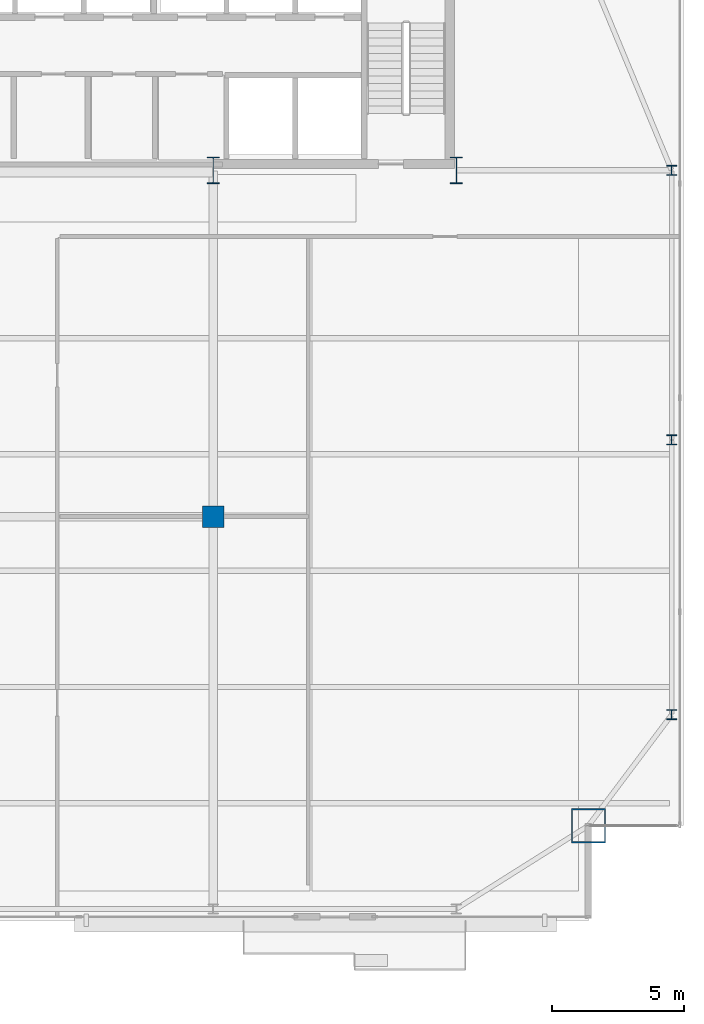
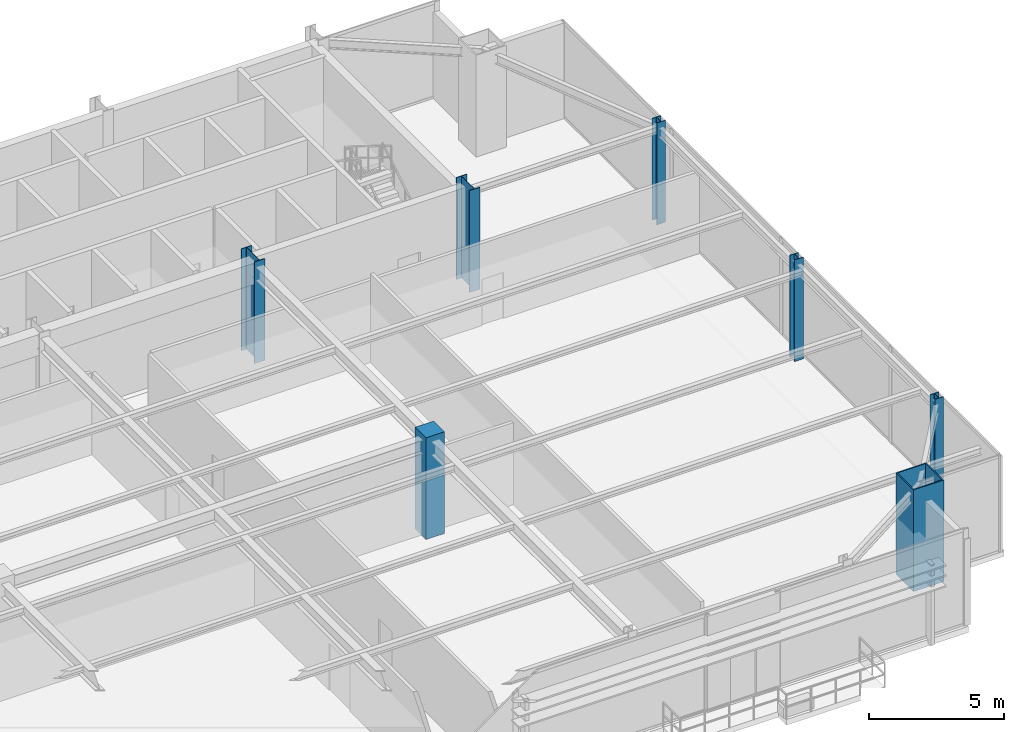
# One storey, part 2 of 25: 7 columns.
"""IFC4 building model written with IfcOpenShell, lengths in metres."""

from ifc_helpers import new_model, si_unit, direction, frame, origin, origin_2d, place, context, subcontext, project, spatial, rectangle, hollow_rectangle, i_section, extrude, source, transform, mapped, material, material_profile, profile_set, type_object, type_shapes, element, save


model = new_model("IFC4")

# Units and contexts
model_context = context("Model", 3, precision=1e-05, world=origin(), true_north=direction((0.0, 1.0)))
body_context = subcontext(model_context, "Body", "Model", "MODEL_VIEW")
ifc_project = project(units=[si_unit("LENGTHUNIT", "METRE"), si_unit("AREAUNIT", "SQUARE_METRE"), si_unit("VOLUMEUNIT", "CUBIC_METRE"), si_unit("PLANEANGLEUNIT", "RADIAN"), si_unit("MASSUNIT", "GRAM", prefix="KILO")], contexts=[model_context])

# Site, building, storey
site_placement = place(None, origin())
site = spatial("IfcSite", under=ifc_project, at=site_placement, CompositionType="ELEMENT")
building_placement = place(site_placement, origin())
building = spatial("IfcBuilding", under=site, at=building_placement, Name="Varnel Quay Broadcast Tower", CompositionType="ELEMENT")
storey_placement = place(building_placement, frame((0.0, 0.0, 191.39990234375)))
storey = spatial("IfcBuildingStorey", under=building, at=storey_placement, Name="L47", CompositionType="ELEMENT", Elevation=191.39990234375)

# Columns
ifc_material_1 = material(Name="Structural Steel CSA G40.21 350WT", Category="steel")
ifc_material_profile_1 = material_profile(ifc_material_1, i_section(OverallWidth=0.449951171875, OverallDepth=1.0, WebThickness=0.01611328125, FlangeThickness=0.030029296875, FilletRadius=0.01611328125, at=origin_2d()), Name="WWF1000X362")
ifc_profile_set_1 = profile_set([ifc_material_profile_1], Name="Structural Steel CSA G40.21 350WT")
column_type_1 = type_object("IfcColumnType", Name="Col_WWF1000X362", PredefinedType="COLUMN", material=ifc_profile_set_1)
shared_shape_1 = source(origin(), body_context, "Body", "SweptSolid", [
    extrude(i_section(OverallWidth=0.449951171875, OverallDepth=1.0, WebThickness=0.01611328125, FlangeThickness=0.030029296875, FilletRadius=0.01611328125, at=origin_2d()), origin(), (0.0, 0.0, 1.0), 4.60009765625),
])
type_shapes(column_type_1, [shared_shape_1])
for number, where, z_axis, x_axis, name in (
    (1, (43.199951171875, 35.60009765625, 0.0), (0.0, 0.0, 1.0), (1.0, 0.0, 0.0), "L47 Column CC-S4"),
    (2, (52.39990234375, 35.60009765625, 0.0), (0.0, 0.0, 1.0), (1.0, 0.0, 0.0), "L47 Column CC-S5"),
):
    element("IfcColumn", number, at=place(storey_placement, frame(where, z_axis=z_axis, x_axis=x_axis)), inside=storey, type_object=column_type_1, Name=name, PredefinedType="COLUMN", context=body_context, shape_type="MappedRepresentation", body=[
        mapped(shared_shape_1, transform((0.0, 0.0, 0.0), x_axis=(1.0, 0.0, 0.0), y_axis=(0.0, 1.0, 0.0), z_axis=(0.0, 0.0, 1.0), scale=1.0)),
    ])
ifc_material_profile_2 = material_profile(ifc_material_1, hollow_rectangle(XDim=1.300048828125, YDim=1.300048828125, WallThickness=0.050048828125, at=origin_2d()), Name="BOX1300X1300X50")
ifc_profile_set_2 = profile_set([ifc_material_profile_2], Name="Structural Steel CSA G40.21 350WT")
column_type_2 = type_object("IfcColumnType", Name="Col_BOX1300X1300X50", PredefinedType="COLUMN", material=ifc_profile_set_2)
shared_shape_2 = source(origin(), body_context, "Body", "SweptSolid", [
    extrude(hollow_rectangle(XDim=1.300048828125, YDim=1.300048828125, WallThickness=0.050048828125, at=origin_2d()), origin(), (0.0, 0.0, 1.0), 4.60009765625),
])
type_shapes(column_type_2, [shared_shape_2])
column_1_placement = place(storey_placement, frame((57.39990234375, 10.800048828125, 0.0), z_axis=(0.0, 0.0, 1.0), x_axis=(1.0, 0.0, 0.0)))
element("IfcColumn", 3, at=column_1_placement, inside=storey, type_object=column_type_2, Name="L47 Column MC-SE", PredefinedType="COLUMN", context=body_context, shape_type="MappedRepresentation", body=[
    mapped(shared_shape_2, transform((0.0, 0.0, 0.0), x_axis=(1.0, 0.0, 0.0), y_axis=(0.0, 1.0, 0.0), z_axis=(0.0, 0.0, 1.0), scale=1.0)),
])
ifc_material_2 = material(Name="Structural Steel CSA G40.21 350W", Category="steel")
ifc_material_profile_3 = material_profile(ifc_material_2, i_section(OverallWidth=0.3740234375, OverallDepth=0.3720703125, WebThickness=0.016357421875, FlangeThickness=0.026123046875, FilletRadius=0.01611328125, at=origin_2d()), Name="W360X196")
ifc_profile_set_3 = profile_set([ifc_material_profile_3], Name="Structural Steel CSA G40.21 350W")
column_type_3 = type_object("IfcColumnType", Name="Col_W360X196", PredefinedType="COLUMN", material=ifc_profile_set_3)
shared_shape_3 = source(origin(), body_context, "Body", "SweptSolid", [
    extrude(i_section(OverallWidth=0.3740234375, OverallDepth=0.3720703125, WebThickness=0.016357421875, FlangeThickness=0.026123046875, FilletRadius=0.01611328125, at=origin_2d()), origin(), (0.0, 0.0, 1.0), 4.60009765625),
])
type_shapes(column_type_3, [shared_shape_3])
for number, where, z_axis, x_axis, name in (
    (4, (60.550048828125, 15.0, 0.0), (0.0, 0.0, 1.0), (1.0, 0.0, 0.0), "L47 Column TC-E1"),
    (5, (60.550048828125, 25.39990234375, 0.0), (0.0, 0.0, 1.0), (1.0, 0.0, 0.0), "L47 Column TC-E2"),
    (6, (60.550048828125, 35.60009765625, 0.0), (0.0, 0.0, 1.0), (1.0, 0.0, 0.0), "L47 Column TC-E3"),
):
    element("IfcColumn", number, at=place(storey_placement, frame(where, z_axis=z_axis, x_axis=x_axis)), inside=storey, type_object=column_type_3, Name=name, PredefinedType="COLUMN", context=body_context, shape_type="MappedRepresentation", body=[
        mapped(shared_shape_3, transform((0.0, 0.0, 0.0), x_axis=(1.0, 0.0, 0.0), y_axis=(0.0, 1.0, 0.0), z_axis=(0.0, 0.0, 1.0), scale=1.0)),
    ])
ifc_material_3 = material(Name="Concrete CSA A23.3 C50/60", Category="concrete")
ifc_material_profile_4 = material_profile(ifc_material_3, rectangle(XDim=0.800048828125, YDim=0.800048828125, at=origin_2d()), Name="RC800X800")
ifc_profile_set_4 = profile_set([ifc_material_profile_4], Name="Concrete CSA A23.3 C50/60")
column_type_4 = type_object("IfcColumnType", Name="Col_RC800X800", PredefinedType="COLUMN", material=ifc_profile_set_4)
shared_shape_4 = source(origin(), body_context, "Body", "SweptSolid", [
    extrude(rectangle(XDim=0.800048828125, YDim=0.800048828125, at=origin_2d()), origin(), (0.0, 0.0, 1.0), 4.60009765625),
])
type_shapes(column_type_4, [shared_shape_4])
column_2_placement = place(storey_placement, frame((43.199951171875, 22.489990234375, 0.0), z_axis=(0.0, 0.0, 1.0), x_axis=(1.0, 0.0, 0.0)))
element("IfcColumn", 7, at=column_2_placement, inside=storey, type_object=column_type_4, Name="L47 Column IC-02", PredefinedType="COLUMN", context=body_context, shape_type="MappedRepresentation", body=[
    mapped(shared_shape_4, transform((0.0, 0.0, 0.0), x_axis=(1.0, 0.0, 0.0), y_axis=(0.0, 1.0, 0.0), z_axis=(0.0, 0.0, 1.0), scale=1.0)),
])

save(model, "model.ifc")
